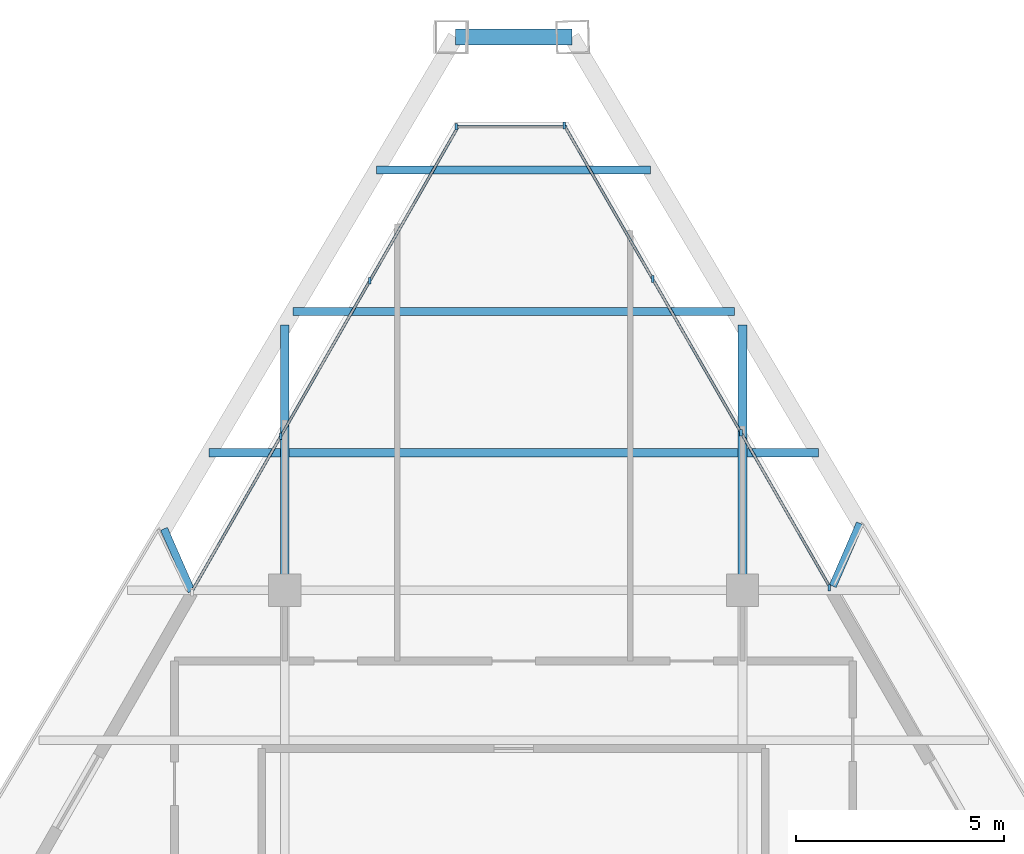
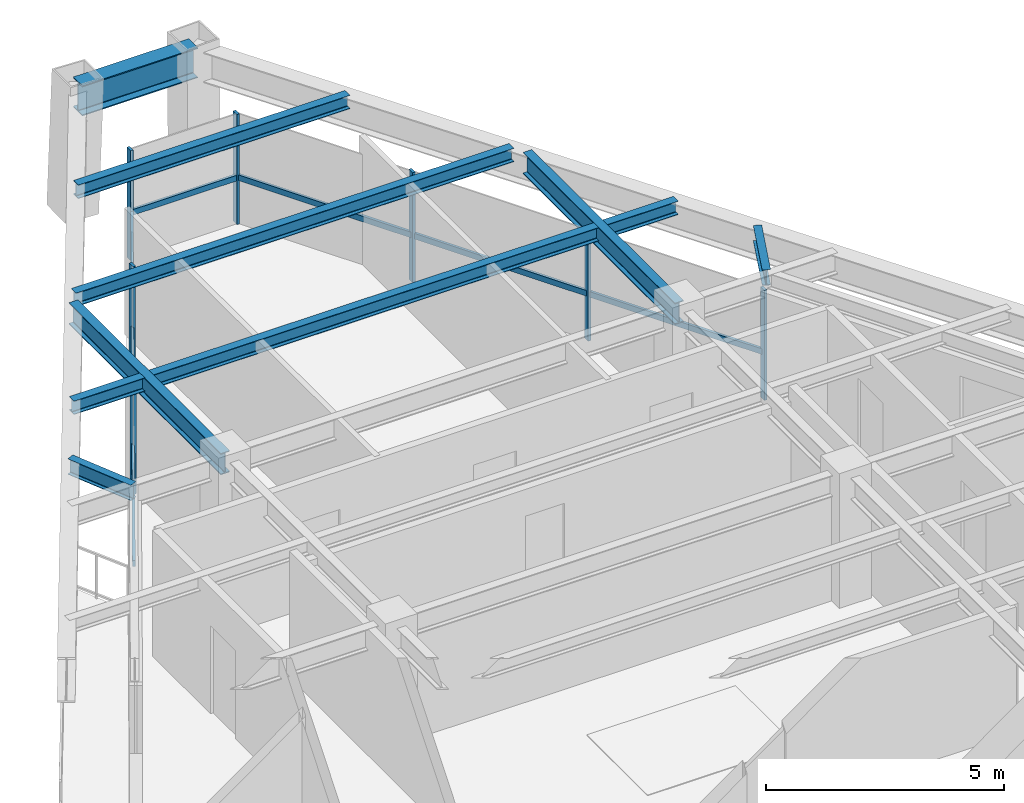
# One storey, part 7 of 13: 14 members, 10 beams, 3 elements without a shape of their own.
"""IFC4 building model written with IfcOpenShell, lengths in metres."""

from ifc_helpers import new_model, si_unit, direction, frame, origin, origin_2d, place, context, subcontext, project, spatial, rectangle, i_section, extrude, source, transform, mapped, material, material_profile, profile_set, type_object, type_shapes, element, aggregate, save


model = new_model("IFC4")

# Units and contexts
model_context = context("Model", 3, precision=1e-05, world=origin(), true_north=direction((0.0, 1.0)))
body_context = subcontext(model_context, "Body", "Model", "MODEL_VIEW")
ifc_project = project(units=[si_unit("LENGTHUNIT", "METRE"), si_unit("AREAUNIT", "SQUARE_METRE"), si_unit("VOLUMEUNIT", "CUBIC_METRE"), si_unit("PLANEANGLEUNIT", "RADIAN"), si_unit("MASSUNIT", "GRAM", prefix="KILO")], contexts=[model_context])

# Site, building, storey
site_placement = place(None, origin())
site = spatial("IfcSite", under=ifc_project, at=site_placement, CompositionType="ELEMENT")
building_placement = place(site_placement, origin())
building = spatial("IfcBuilding", under=site, at=building_placement, Name="Varnakhor Terracotta Tower", CompositionType="ELEMENT")
storey_placement = place(building_placement, frame((0.0, 0.0, 297.14990234375)))
storey = spatial("IfcBuildingStorey", under=building, at=storey_placement, Name="L78", CompositionType="ELEMENT", Elevation=297.14990234375)

# Beams
ifc_material_1 = material(Name="Steel S355", Category="steel")
ifc_material_profile_1 = material_profile(ifc_material_1, i_section(OverallWidth=0.202880859375, OverallDepth=0.346923828125, WebThickness=0.0078125, FlangeThickness=0.013427734375, FilletRadius=0.01806640625, at=origin_2d()), Name="W14X43")
ifc_profile_set_1 = profile_set([ifc_material_profile_1], Name="Steel S355")
beam_type_1 = type_object("IfcBeamType", Name="JST-W14X43", PredefinedType="JOIST", material=ifc_profile_set_1)
shared_shape_1 = source(origin(), body_context, "Body", "SweptSolid", [
    extrude(i_section(OverallWidth=0.202880859375, OverallDepth=0.346923828125, WebThickness=0.0078125, FlangeThickness=0.013427734375, FilletRadius=0.01806640625, at=origin_2d()), origin(), (0.0, 0.0, 1.0), 10.7939453125),
])
beam_1_placement = place(storey_placement, frame((-5.39697265625, 34.800048828125, 3.066650390625), z_axis=(1.0, 0.0, 0.0), x_axis=(0.0, 1.0, 0.0)))
element("IfcBeam", 1, at=beam_1_placement, inside=storey, type_object=beam_type_1, Name="L78 Composite Floor Joist 7-2", PredefinedType="JOIST", context=body_context, shape_type="MappedRepresentation", body=[
    mapped(shared_shape_1, transform((0.0, 0.0, 0.0), scale=1.0)),
])
ifc_material_profile_2 = material_profile(ifc_material_1, i_section(OverallWidth=0.381103515625, OverallDepth=0.77294921875, WebThickness=0.01708984375, FlangeThickness=0.027099609375, FilletRadius=0.01806640625, at=origin_2d()), Name="W30X173")
ifc_profile_set_2 = profile_set([ifc_material_profile_2], Name="Steel S355")
beam_type_2 = type_object("IfcBeamType", Name="BM-W30X173", PredefinedType="BEAM", material=ifc_profile_set_2)
shared_shape_2 = source(origin(), body_context, "Body", "SweptSolid", [
    extrude(i_section(OverallWidth=0.381103515625, OverallDepth=0.77294921875, WebThickness=0.01708984375, FlangeThickness=0.027099609375, FilletRadius=0.01806640625, at=origin_2d()), origin(), (0.0, 0.0, 1.0), 2.794921875),
])
beam_2_placement = place(storey_placement, frame((1.3974609375, 44.79248046875, 2.853515625), z_axis=(-1.0, 0.0, 0.0), x_axis=(0.0, -1.0, 0.0)))
element("IfcBeam", 2, at=beam_2_placement, inside=storey, type_object=beam_type_2, Name="L78 Perimeter Spandrel 5", PredefinedType="BEAM", context=body_context, shape_type="MappedRepresentation", body=[
    mapped(shared_shape_2, transform((0.0, 0.0, 0.0), scale=1.0)),
])
ifc_material_profile_3 = material_profile(ifc_material_1, i_section(OverallWidth=0.214111328125, OverallDepth=0.549072265625, WebThickness=0.014892578125, FlangeThickness=0.02392578125, FilletRadius=0.01806640625, at=origin_2d()), Name="W21X93")
ifc_profile_set_3 = profile_set([ifc_material_profile_3], Name="Steel S355")
beam_type_3 = type_object("IfcBeamType", Name="BM-W21X93", PredefinedType="BEAM", material=ifc_profile_set_3)
shared_shape_3 = source(origin(), body_context, "Body", "SweptSolid", [
    extrude(i_section(OverallWidth=0.214111328125, OverallDepth=0.549072265625, WebThickness=0.014892578125, FlangeThickness=0.02392578125, FilletRadius=0.01806640625, at=origin_2d()), origin(), (0.0, 0.0, 1.0), 6.371826171875),
])
for number, where, z_axis, x_axis, name in (
    (3, (-5.5, 31.5, 2.965576171875), (0.0, 1.0, 0.0), (-1.0, 0.0, 0.0), "L78 Primary Girder NS3-W"),
    (4, (5.5, 31.5, 2.965576171875), (0.0, 1.0, 0.0), (-1.0, 0.0, 0.0), "L78 Primary Girder NS3-E"),
):
    element("IfcBeam", number, at=place(storey_placement, frame(where, z_axis=z_axis, x_axis=x_axis)), inside=storey, type_object=beam_type_3, Name=name, PredefinedType="BEAM", context=body_context, shape_type="MappedRepresentation", body=[
        mapped(shared_shape_3, transform((0.0, 0.0, 0.0), scale=1.0)),
    ])
shared_shape_4 = source(origin(), body_context, "Body", "SweptSolid", [
    extrude(i_section(OverallWidth=0.202880859375, OverallDepth=0.346923828125, WebThickness=0.0078125, FlangeThickness=0.013427734375, FilletRadius=0.01806640625, at=origin_2d()), origin(), (0.0, 0.0, 1.0), 1.7177734375),
])
beam_3_placement = place(storey_placement, frame((-7.32080078125, 34.800048828125, 3.066650390625), z_axis=(1.0, 0.0, 0.0), x_axis=(0.0, 1.0, 0.0)))
element("IfcBeam", 5, at=beam_3_placement, inside=storey, type_object=beam_type_1, Name="L78 Composite Floor Joist 7-1", PredefinedType="JOIST", context=body_context, shape_type="MappedRepresentation", body=[
    mapped(shared_shape_4, transform((0.0, 0.0, 0.0), scale=1.0)),
])
shared_shape_5 = source(origin(), body_context, "Body", "SweptSolid", [
    extrude(i_section(OverallWidth=0.202880859375, OverallDepth=0.346923828125, WebThickness=0.0078125, FlangeThickness=0.013427734375, FilletRadius=0.01806640625, at=origin_2d()), origin(), (0.0, 0.0, 1.0), 1.718017578125),
])
beam_4_placement = place(storey_placement, frame((5.60302734375, 34.800048828125, 3.066650390625), z_axis=(1.0, 0.0, 0.0), x_axis=(0.0, 1.0, 0.0)))
element("IfcBeam", 6, at=beam_4_placement, inside=storey, type_object=beam_type_1, Name="L78 Composite Floor Joist 7-3", PredefinedType="JOIST", context=body_context, shape_type="MappedRepresentation", body=[
    mapped(shared_shape_5, transform((0.0, 0.0, 0.0), scale=1.0)),
])
shared_shape_6 = source(origin(), body_context, "Body", "SweptSolid", [
    extrude(i_section(OverallWidth=0.202880859375, OverallDepth=0.346923828125, WebThickness=0.0078125, FlangeThickness=0.013427734375, FilletRadius=0.01806640625, at=origin_2d()), origin(), (0.0, 0.0, 1.0), 10.61083984375),
])
beam_5_placement = place(storey_placement, frame((-5.305419921875, 38.199951171875, 3.066650390625), z_axis=(1.0, 0.0, 0.0), x_axis=(0.0, 1.0, 0.0)))
element("IfcBeam", 7, at=beam_5_placement, inside=storey, type_object=beam_type_1, Name="L78 Composite Floor Joist 8-1", PredefinedType="JOIST", context=body_context, shape_type="MappedRepresentation", body=[
    mapped(shared_shape_6, transform((0.0, 0.0, 0.0), scale=1.0)),
])
shared_shape_7 = source(origin(), body_context, "Body", "SweptSolid", [
    extrude(i_section(OverallWidth=0.202880859375, OverallDepth=0.346923828125, WebThickness=0.0078125, FlangeThickness=0.013427734375, FilletRadius=0.01806640625, at=origin_2d()), origin(), (0.0, 0.0, 1.0), 6.580078125),
])
beam_6_placement = place(storey_placement, frame((-3.2900390625, 41.60009765625, 3.066650390625), z_axis=(1.0, 0.0, 0.0), x_axis=(0.0, 1.0, 0.0)))
element("IfcBeam", 8, at=beam_6_placement, inside=storey, type_object=beam_type_1, Name="L78 Composite Floor Joist 9-1", PredefinedType="JOIST", context=body_context, shape_type="MappedRepresentation", body=[
    mapped(shared_shape_7, transform((0.0, 0.0, 0.0), scale=1.0)),
])

# Curtain wall, members
ifc_material_2 = material(Name="Anodised Aluminium Curtain Wall System", Category="aluminium")
curtain_wall_type = type_object("IfcCurtainWallType", Name="CW-SYS-HOTEL-LOGGIA", PredefinedType="NOTDEFINED", material=ifc_material_2)
curtain_wall_1_placement = place(storey_placement, origin())
curtain_wall_1 = element("IfcCurtainWall", 9, at=curtain_wall_1_placement, inside=storey, type_object=curtain_wall_type, Name="L78 W Facet Curtain Wall 2", PredefinedType="NOTDEFINED")
ifc_material_3 = material(Name="Anodised Aluminium 6063-T6", Category="aluminium")
ifc_material_profile_4 = material_profile(ifc_material_3, rectangle(XDim=0.06494140625, YDim=0.159912109375, at=origin_2d()), Name="ALU MULLION 65x160")
ifc_profile_set_4 = profile_set([ifc_material_profile_4], Name="Anodised Aluminium 6063-T6")
member_type_1 = type_object("IfcMemberType", Name="CWM-04", PredefinedType="MULLION", material=ifc_profile_set_4)
shared_shape_8 = source(origin(), body_context, "Body", "SweptSolid", [
    extrude(rectangle(XDim=0.06494140625, YDim=0.159912109375, at=origin_2d()), origin(), (0.0, 0.0, 1.0), 2.820068359375),
])
type_shapes(member_type_1, [shared_shape_8])
member_1_placement = place(storey_placement, frame((-5.593505859375, 35.205322265625, 0.0), z_axis=(0.0, 0.0, 1.0), x_axis=(1.0, 0.0, 0.0)))
member_1 = element("IfcMember", 10, at=member_1_placement, type_object=member_type_1, Name="L78 W Facet Curtain Wall 2 Mullion 2", PredefinedType="MULLION", context=body_context, shape_type="MappedRepresentation", body=[
    mapped(shared_shape_8, transform((0.0, 0.0, 0.0), scale=1.0)),
])
member_2_placement = place(storey_placement, frame((-3.455078125, 38.937744140625, 0.0), z_axis=(0.0, 0.0, 1.0), x_axis=(1.0, 0.0, 0.0)))
member_2 = element("IfcMember", 11, at=member_2_placement, type_object=member_type_1, Name="L78 W Facet Curtain Wall 2 Mullion 3", PredefinedType="MULLION", context=body_context, shape_type="MappedRepresentation", body=[
    mapped(shared_shape_8, transform((0.0, 0.0, 0.0), scale=1.0)),
])

# Curtain wall, member
curtain_wall_2_placement = place(storey_placement, origin())
curtain_wall_2 = element("IfcCurtainWall", 12, at=curtain_wall_2_placement, inside=storey, type_object=curtain_wall_type, Name="L78 Facet Curtain Wall 2", PredefinedType="NOTDEFINED")
member_3_placement = place(storey_placement, frame((-1.376220703125, 42.6357421875, 0.0), z_axis=(0.0, 0.0, 1.0), x_axis=(1.0, 0.0, 0.0)))
member_3 = element("IfcMember", 13, at=member_3_placement, type_object=member_type_1, Name="L78 Facet Curtain Wall 2 Mullion 1", PredefinedType="MULLION", context=body_context, shape_type="MappedRepresentation", body=[
    mapped(shared_shape_8, transform((0.0, 0.0, 0.0), scale=1.0)),
])

# Curtain wall, members
curtain_wall_3_placement = place(storey_placement, origin())
curtain_wall_3 = element("IfcCurtainWall", 14, at=curtain_wall_3_placement, inside=storey, type_object=curtain_wall_type, Name="L78 E Facet Curtain Wall 1", PredefinedType="NOTDEFINED")
member_4_placement = place(storey_placement, frame((1.21923828125, 42.669921875, 0.0), z_axis=(0.0, 0.0, 1.0), x_axis=(1.0, 0.0, 0.0)))
member_4 = element("IfcMember", 15, at=member_4_placement, type_object=member_type_1, Name="L78 E Facet Curtain Wall 1 Mullion 1", PredefinedType="MULLION", context=body_context, shape_type="MappedRepresentation", body=[
    mapped(shared_shape_8, transform((0.0, 0.0, 0.0), scale=1.0)),
])
member_5_placement = place(storey_placement, frame((3.34228515625, 38.97900390625, 0.0), z_axis=(0.0, 0.0, 1.0), x_axis=(1.0, 0.0, 0.0)))
member_5 = element("IfcMember", 16, at=member_5_placement, type_object=member_type_1, Name="L78 E Facet Curtain Wall 1 Mullion 2", PredefinedType="MULLION", context=body_context, shape_type="MappedRepresentation", body=[
    mapped(shared_shape_8, transform((0.0, 0.0, 0.0), scale=1.0)),
])
member_6_placement = place(storey_placement, frame((5.46533203125, 35.2880859375, 0.0), z_axis=(0.0, 0.0, 1.0), x_axis=(1.0, 0.0, 0.0)))
member_6 = element("IfcMember", 17, at=member_6_placement, type_object=member_type_1, Name="L78 E Facet Curtain Wall 1 Mullion 3", PredefinedType="MULLION", context=body_context, shape_type="MappedRepresentation", body=[
    mapped(shared_shape_8, transform((0.0, 0.0, 0.0), scale=1.0)),
])
member_7_placement = place(storey_placement, frame((7.5859375, 31.561279296875, 0.0), z_axis=(0.0, 0.0, 1.0), x_axis=(1.0, 0.0, 0.0)))
member_7 = element("IfcMember", 18, at=member_7_placement, type_object=member_type_1, Name="L78 E Loggia Jamb Closure Mullion 1", PredefinedType="MULLION", context=body_context, shape_type="MappedRepresentation", body=[
    mapped(shared_shape_8, transform((0.0, 0.0, 0.0), scale=1.0)),
])

# Beam
ifc_material_profile_5 = material_profile(ifc_material_1, i_section(OverallWidth=0.179931640625, OverallDepth=0.39990234375, WebThickness=0.008544921875, FlangeThickness=0.013427734375, FilletRadius=0.01806640625, at=origin_2d()), Name="IPE400")
ifc_profile_set_5 = profile_set([ifc_material_profile_5], Name="Steel S355")
beam_type_4 = type_object("IfcBeamType", Name="JST-IPE400", PredefinedType="JOIST", material=ifc_profile_set_5)
shared_shape_9 = source(origin(), body_context, "Body", "SweptSolid", [
    extrude(i_section(OverallWidth=0.179931640625, OverallDepth=0.39990234375, WebThickness=0.008544921875, FlangeThickness=0.013427734375, FilletRadius=0.01806640625, at=origin_2d()), origin(), (0.0, 0.0, 1.0), 1.642822265625),
])
beam_7_placement = place(storey_placement, frame((-7.740478515625, 31.472900390625, 3.0400390625), z_axis=(-0.402564307726, 0.915391707492, 0.0), x_axis=(-0.915391707492, -0.402564307726, 0.0)))
element("IfcBeam", 19, at=beam_7_placement, inside=storey, type_object=beam_type_4, Name="L79 W Loggia Tie Beam 2", PredefinedType="JOIST", context=body_context, shape_type="MappedRepresentation", body=[
    mapped(shared_shape_9, transform((0.0, 0.0, 0.0), scale=1.0)),
])

# Member
ifc_material_profile_6 = material_profile(ifc_material_3, rectangle(XDim=0.06494140625, YDim=0.14501953125, at=origin_2d()), Name="ALU TRANSOM 65x145")
ifc_profile_set_6 = profile_set([ifc_material_profile_6], Name="Anodised Aluminium 6063-T6")
member_type_2 = type_object("IfcMemberType", Name="CWT-04", PredefinedType="USERDEFINED", material=ifc_profile_set_6)
shared_shape_10 = source(origin(), body_context, "Body", "SweptSolid", [
    extrude(rectangle(XDim=0.06494140625, YDim=0.14501953125, at=origin_2d()), origin(), (0.0, 0.0, 1.0), 4.301513671875),
])
member_8_placement = place(storey_placement, frame((-7.73193359375, 31.472900390625, 1.1845703125), z_axis=(0.497122675225, 0.867680267021, 0.0), x_axis=(-0.867680267021, 0.497122675225, 0.0)))
member_8 = element("IfcMember", 20, at=member_8_placement, type_object=member_type_2, Name="L78 W Facet Curtain Wall 2 Transom 1", ObjectType="TRANSOM", PredefinedType="USERDEFINED", context=body_context, shape_type="MappedRepresentation", body=[
    mapped(shared_shape_10, transform((0.0, 0.0, 0.0), scale=1.0)),
])

member_9_placement = place(storey_placement, frame((-5.593505859375, 35.205322265625, 1.1845703125), z_axis=(0.497122675225, 0.867680267021, 0.0), x_axis=(-0.867680267021, 0.497122675225, 0.0)))
member_9 = element("IfcMember", 21, at=member_9_placement, type_object=member_type_2, Name="L78 W Facet Curtain Wall 2 Transom 2", ObjectType="TRANSOM", PredefinedType="USERDEFINED", context=body_context, shape_type="MappedRepresentation", body=[
    mapped(shared_shape_10, transform((0.0, 0.0, 0.0), scale=1.0)),
])

shared_shape_11 = source(origin(), body_context, "Body", "SweptSolid", [
    extrude(rectangle(XDim=0.06494140625, YDim=0.14501953125, at=origin_2d()), origin(), (0.0, 0.0, 1.0), 4.30126953125),
])
member_10_placement = place(storey_placement, frame((-3.455078125, 38.937744140625, 1.1845703125), z_axis=(0.497104425314, 0.867690722742, 0.0), x_axis=(-0.867690722742, 0.497104425314, 0.0)))
member_10 = element("IfcMember", 22, at=member_10_placement, type_object=member_type_2, Name="L78 W Facet Curtain Wall 2 Transom 3", ObjectType="TRANSOM", PredefinedType="USERDEFINED", context=body_context, shape_type="MappedRepresentation", body=[
    mapped(shared_shape_11, transform((0.0, 0.0, 0.0), scale=1.0)),
])

aggregate(curtain_wall_1, [member_8, member_1, member_9, member_2, member_10])

shared_shape_12 = source(origin(), body_context, "Body", "SweptSolid", [
    extrude(rectangle(XDim=0.06494140625, YDim=0.14501953125, at=origin_2d()), origin(), (0.0, 0.0, 1.0), 2.654541015625),
])
member_11_placement = place(storey_placement, frame((-1.376220703125, 42.6357421875, 1.1845703125), z_axis=(1.0, 0.0, 0.0), x_axis=(0.0, 1.0, 0.0)))
member_11 = element("IfcMember", 23, at=member_11_placement, type_object=member_type_2, Name="L78 Facet Curtain Wall 2 Transom 1", ObjectType="TRANSOM", PredefinedType="USERDEFINED", context=body_context, shape_type="MappedRepresentation", body=[
    mapped(shared_shape_12, transform((0.0, 0.0, 0.0), scale=1.0)),
])

aggregate(curtain_wall_2, [member_3, member_11])

shared_shape_13 = source(origin(), body_context, "Body", "SweptSolid", [
    extrude(rectangle(XDim=0.06494140625, YDim=0.14501953125, at=origin_2d()), origin(), (0.0, 0.0, 1.0), 4.258056640625),
])
member_12_placement = place(storey_placement, frame((1.21923828125, 42.669921875, 1.1845703125), z_axis=(0.498606853692, -0.866828244493, 0.0), x_axis=(0.866828244493, 0.498606853692, 0.0)))
member_12 = element("IfcMember", 24, at=member_12_placement, type_object=member_type_2, Name="L78 E Facet Curtain Wall 1 Transom 1", ObjectType="TRANSOM", PredefinedType="USERDEFINED", context=body_context, shape_type="MappedRepresentation", body=[
    mapped(shared_shape_13, transform((0.0, 0.0, 0.0), scale=1.0)),
])

member_13_placement = place(storey_placement, frame((3.34228515625, 38.97900390625, 1.1845703125), z_axis=(0.498606853692, -0.866828244493, 0.0), x_axis=(0.866828244493, 0.498606853692, 0.0)))
member_13 = element("IfcMember", 25, at=member_13_placement, type_object=member_type_2, Name="L78 E Facet Curtain Wall 1 Transom 2", ObjectType="TRANSOM", PredefinedType="USERDEFINED", context=body_context, shape_type="MappedRepresentation", body=[
    mapped(shared_shape_13, transform((0.0, 0.0, 0.0), scale=1.0)),
])

shared_shape_14 = source(origin(), body_context, "Body", "SweptSolid", [
    extrude(rectangle(XDim=0.06494140625, YDim=0.14501953125, at=origin_2d()), origin(), (0.0, 0.0, 1.0), 4.2578125),
])
member_14_placement = place(storey_placement, frame((5.46533203125, 35.2880859375, 1.1845703125), z_axis=(0.498631636358, -0.866813988825, 0.0), x_axis=(0.866813988825, 0.498631636358, 0.0)))
member_14 = element("IfcMember", 26, at=member_14_placement, type_object=member_type_2, Name="L78 E Facet Curtain Wall 1 Transom 3", ObjectType="TRANSOM", PredefinedType="USERDEFINED", context=body_context, shape_type="MappedRepresentation", body=[
    mapped(shared_shape_14, transform((0.0, 0.0, 0.0), scale=1.0)),
])

aggregate(curtain_wall_3, [member_4, member_12, member_5, member_13, member_6, member_14, member_7])

# Beam
shared_shape_15 = source(origin(), body_context, "Body", "SweptSolid", [
    extrude(i_section(OverallWidth=0.179931640625, OverallDepth=0.39990234375, WebThickness=0.008544921875, FlangeThickness=0.013427734375, FilletRadius=0.01806640625, at=origin_2d()), origin(), (0.0, 0.0, 1.0), 1.6455078125),
])
beam_8_placement = place(storey_placement, frame((7.66845703125, 31.59912109375, 3.0400390625), z_axis=(0.398069560466, 0.917355233827, 0.0), x_axis=(-0.917355233827, 0.398069560466, 0.0)))
element("IfcBeam", 27, at=beam_8_placement, inside=storey, type_object=beam_type_4, Name="L79 E Loggia Tie Beam 1", PredefinedType="JOIST", context=body_context, shape_type="MappedRepresentation", body=[
    mapped(shared_shape_15, transform((0.0, 0.0, 0.0), scale=1.0)),
])

save(model, "model.ifc")
